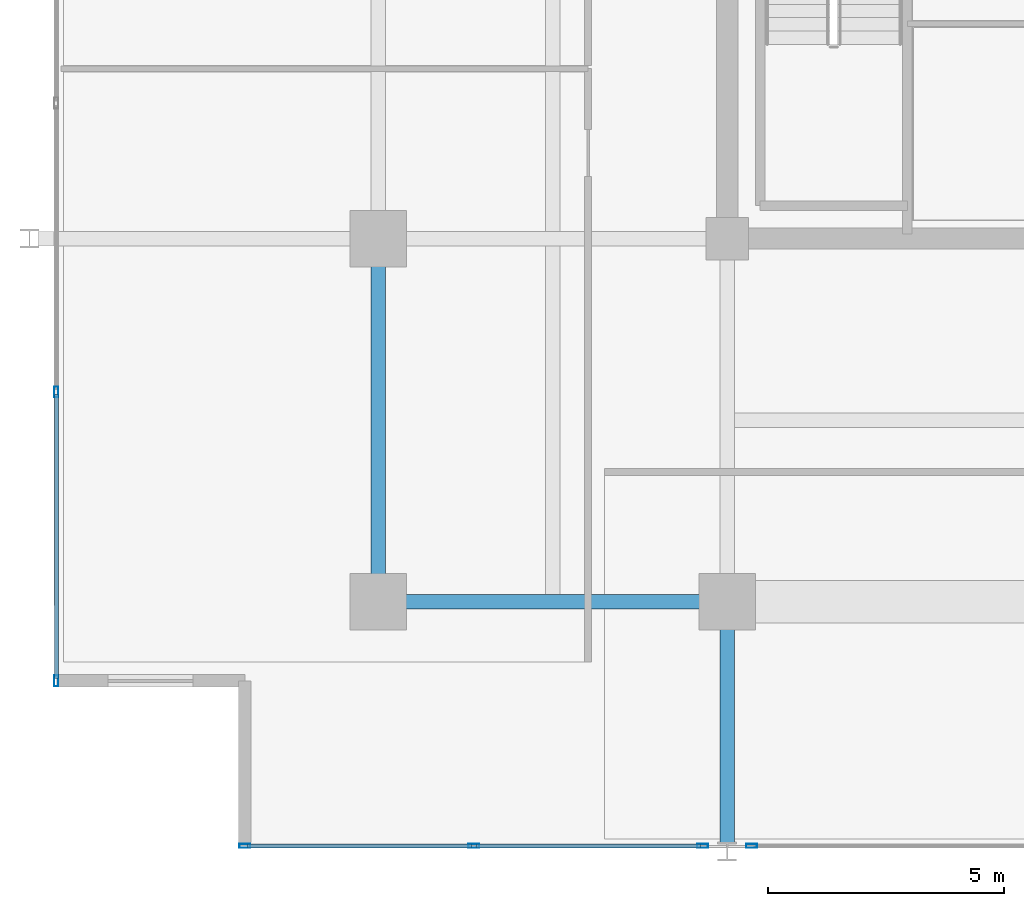
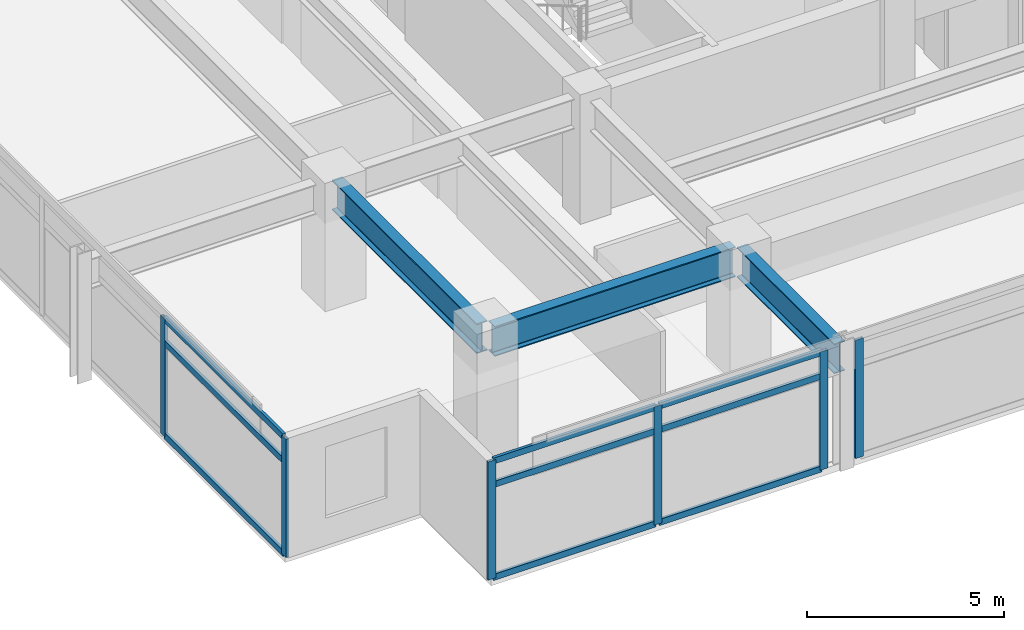
# One storey, part 2 of 20: 15 members, 3 beams, 3 elements without a shape of their own.
"""IFC4 building model written with IfcOpenShell, lengths in metres."""

from ifc_helpers import new_model, si_unit, direction, frame, origin, origin_2d, place, context, subcontext, project, spatial, hollow_rectangle, i_section, extrude, material, material_profile, profile_set, type_object, element, aggregate, save


model = new_model("IFC4")

# Units and contexts
model_context = context("Model", 3, precision=1e-05, world=origin(), true_north=direction((0.0, 1.0)))
body_context = subcontext(model_context, "Body", "Model", "MODEL_VIEW")
ifc_project = project(units=[si_unit("LENGTHUNIT", "METRE"), si_unit("AREAUNIT", "SQUARE_METRE"), si_unit("VOLUMEUNIT", "CUBIC_METRE"), si_unit("PLANEANGLEUNIT", "RADIAN"), si_unit("MASSUNIT", "GRAM", prefix="KILO")], contexts=[model_context])

# Site, building, storey
site_placement = place(None, origin())
site = spatial("IfcSite", under=ifc_project, at=site_placement, CompositionType="ELEMENT")
building_placement = place(site_placement, origin())
building = spatial("IfcBuilding", under=site, at=building_placement, Name="Kovane Verandah Tower", CompositionType="ELEMENT")
storey_placement = place(building_placement, frame((0.0, 0.0, 291.199951171875)))
storey = spatial("IfcBuildingStorey", under=building, at=storey_placement, Name="L68", CompositionType="ELEMENT", Elevation=291.199951171875)

# Beams
ifc_material_1 = material(Name="Steel S460", Category="steel")
ifc_material_profile_1 = material_profile(ifc_material_1, i_section(OverallWidth=0.3076171875, OverallDepth=0.926513671875, WebThickness=0.01953125, FlangeThickness=0.031982421875, FilletRadius=0.01904296875, at=origin_2d()), Name="UB914x305x289")
ifc_profile_set_1 = profile_set([ifc_material_profile_1], Name="Steel S460")
beam_type = type_object("IfcBeamType", Name="BM-UB914x289", PredefinedType="BEAM", material=ifc_profile_set_1)
beam_1_placement = place(storey_placement, frame((21.780029296875, 10.800048828125, 3.23681640625), z_axis=(1.0, 0.0, 0.0), x_axis=(0.0, 1.0, 0.0)))
element("IfcBeam", 1, at=beam_1_placement, inside=storey, type_object=beam_type, Name="L68 Primary Tower Girder G-RS1", PredefinedType="BEAM", context=body_context, shape_type="SweptSolid", body=[
    extrude(i_section(OverallWidth=0.3076171875, OverallDepth=0.926513671875, WebThickness=0.01953125, FlangeThickness=0.031982421875, FilletRadius=0.01904296875, at=origin_2d()), origin(), (0.0, 0.0, 1.0), 7.0400390625),
])
beam_2_placement = place(storey_placement, frame((21.60009765625, 10.97998046875, 3.23681640625), z_axis=(0.0, 1.0, 0.0), x_axis=(-1.0, 0.0, 0.0)))
element("IfcBeam", 2, at=beam_2_placement, inside=storey, type_object=beam_type, Name="L68 Primary Tower Girder G-RW1", PredefinedType="BEAM", context=body_context, shape_type="SweptSolid", body=[
    extrude(i_section(OverallWidth=0.3076171875, OverallDepth=0.926513671875, WebThickness=0.01953125, FlangeThickness=0.031982421875, FilletRadius=0.01904296875, at=origin_2d()), origin(), (0.0, 0.0, 1.0), 7.340087890625),
])
beam_3_placement = place(storey_placement, frame((29.0, 10.6201171875, 3.23681640625), z_axis=(0.0, -1.0, 0.0), x_axis=(1.0, 0.0, 0.0)))
element("IfcBeam", 3, at=beam_3_placement, inside=storey, type_object=beam_type, Name="L68 Primary Tower Girder G-VS1", PredefinedType="BEAM", context=body_context, shape_type="SweptSolid", body=[
    extrude(i_section(OverallWidth=0.3076171875, OverallDepth=0.926513671875, WebThickness=0.01953125, FlangeThickness=0.031982421875, FilletRadius=0.01904296875, at=origin_2d()), origin(), (0.0, 0.0, 1.0), 4.940185546875),
])

# Curtain wall, members
ifc_material_2 = material(Name="Champagne Anodised Aluminium Frame with Low-E Clear Laminated Glass", Category="aluminium")
curtain_wall_type = type_object("IfcCurtainWallType", Name="CW-SYS-05-HIGH", PredefinedType="NOTDEFINED", material=ifc_material_2)
curtain_wall_1_placement = place(storey_placement, origin())
curtain_wall_1 = element("IfcCurtainWall", 4, at=curtain_wall_1_placement, inside=storey, type_object=curtain_wall_type, Name="L68 S Unitised Curtain Wall-1", PredefinedType="NOTDEFINED")
ifc_material_3 = material(Name="Champagne Anodised Aluminium 6063-T6", Category="aluminium")
ifc_material_profile_2 = material_profile(ifc_material_3, hollow_rectangle(XDim=0.0849609375, YDim=0.22998046875, WallThickness=0.00390625, at=origin_2d()), Name="AL85x230x4")
ifc_profile_set_2 = profile_set([ifc_material_profile_2], Name="Champagne Anodised Aluminium 6063-T6")
member_type_1 = type_object("IfcMemberType", Name="CW-MUL-85x230", PredefinedType="MULLION", material=ifc_profile_set_2)
member_1_placement = place(storey_placement, frame((18.768310546875, 5.619384765625, 0.02001953125), z_axis=(0.0, 0.0, 1.0), x_axis=(0.0, -1.0, 0.0)))
member_1 = element("IfcMember", 5, at=member_1_placement, type_object=member_type_1, Name="L68 S Unitised Curtain Wall-1 Mullion 1", PredefinedType="MULLION", context=body_context, shape_type="SweptSolid", body=[
    extrude(hollow_rectangle(XDim=0.0849609375, YDim=0.22998046875, WallThickness=0.00390625, at=origin_2d()), origin(), (0.0, 0.0, 1.0), 3.659912109375),
])
member_2_placement = place(storey_placement, frame((23.624267578125, 5.619384765625, 0.02001953125), z_axis=(0.0, 0.0, 1.0), x_axis=(0.0, -1.0, 0.0)))
member_2 = element("IfcMember", 6, at=member_2_placement, type_object=member_type_1, Name="L68 S Unitised Curtain Wall-1 Mullion 2", PredefinedType="MULLION", context=body_context, shape_type="SweptSolid", body=[
    extrude(hollow_rectangle(XDim=0.0849609375, YDim=0.22998046875, WallThickness=0.00390625, at=origin_2d()), origin(), (0.0, 0.0, 1.0), 3.659912109375),
])
member_3_placement = place(storey_placement, frame((28.47998046875, 5.619384765625, 0.02001953125), z_axis=(0.0, 0.0, 1.0), x_axis=(0.0, -1.0, 0.0)))
member_3 = element("IfcMember", 7, at=member_3_placement, type_object=member_type_1, Name="L68 S Unitised Curtain Wall-1 Mullion 3", PredefinedType="MULLION", context=body_context, shape_type="SweptSolid", body=[
    extrude(hollow_rectangle(XDim=0.0849609375, YDim=0.22998046875, WallThickness=0.00390625, at=origin_2d()), origin(), (0.0, 0.0, 1.0), 3.659912109375),
])

# Curtain wall, member
curtain_wall_2_placement = place(storey_placement, origin())
curtain_wall_2 = element("IfcCurtainWall", 8, at=curtain_wall_2_placement, inside=storey, type_object=curtain_wall_type, Name="L68 S Unitised Curtain Wall-2", PredefinedType="NOTDEFINED")
member_4_placement = place(storey_placement, frame((29.52001953125, 5.619384765625, 0.02001953125), z_axis=(0.0, 0.0, 1.0), x_axis=(0.0, -1.0, 0.0)))
member_4 = element("IfcMember", 9, at=member_4_placement, type_object=member_type_1, Name="L68 S Unitised Curtain Wall-2 Mullion 1", PredefinedType="MULLION", context=body_context, shape_type="SweptSolid", body=[
    extrude(hollow_rectangle(XDim=0.0849609375, YDim=0.22998046875, WallThickness=0.00390625, at=origin_2d()), origin(), (0.0, 0.0, 1.0), 3.659912109375),
])
aggregate(curtain_wall_2, [member_4])

# Curtain wall, members
curtain_wall_3_placement = place(storey_placement, origin())
curtain_wall_3 = element("IfcCurtainWall", 10, at=curtain_wall_3_placement, inside=storey, type_object=curtain_wall_type, Name="L68 W Unitised Curtain Wall", PredefinedType="NOTDEFINED")
member_5_placement = place(storey_placement, frame((14.768310546875, 15.246337890625, 0.02001953125), z_axis=(0.0, 0.0, 1.0), x_axis=(-1.0, 0.0, 0.0)))
member_5 = element("IfcMember", 11, at=member_5_placement, type_object=member_type_1, Name="L68 W Unitised Curtain Wall Mullion 6", PredefinedType="MULLION", context=body_context, shape_type="SweptSolid", body=[
    extrude(hollow_rectangle(XDim=0.0849609375, YDim=0.22998046875, WallThickness=0.00390625, at=origin_2d()), origin(), (0.0, 0.0, 1.0), 3.659912109375),
])
member_6_placement = place(storey_placement, frame((14.768310546875, 9.119384765625, 0.02001953125), z_axis=(0.0, 0.0, 1.0), x_axis=(-1.0, 0.0, 0.0)))
member_6 = element("IfcMember", 12, at=member_6_placement, type_object=member_type_1, Name="L68 W Unitised Curtain Wall Mullion 7", PredefinedType="MULLION", context=body_context, shape_type="SweptSolid", body=[
    extrude(hollow_rectangle(XDim=0.0849609375, YDim=0.22998046875, WallThickness=0.00390625, at=origin_2d()), origin(), (0.0, 0.0, 1.0), 3.659912109375),
])

# Member
ifc_material_profile_3 = material_profile(ifc_material_3, hollow_rectangle(XDim=0.0849609375, YDim=0.18994140625, WallThickness=0.00390625, at=origin_2d()), Name="AL85x190x4")
ifc_profile_set_3 = profile_set([ifc_material_profile_3], Name="Champagne Anodised Aluminium 6063-T6")
member_type_2 = type_object("IfcMemberType", Name="CW-TRN-85x190", PredefinedType="USERDEFINED", material=ifc_profile_set_3)
member_7_placement = place(storey_placement, frame((18.818359375, 5.619384765625, 0.050048828125), z_axis=(1.0, 0.0, 0.0), x_axis=(0.0, 1.0, 0.0)))
member_7 = element("IfcMember", 13, at=member_7_placement, type_object=member_type_2, Name="L68 S Unitised Curtain Wall-1 Transom TB Bay 1", ObjectType="TRANSOM", PredefinedType="USERDEFINED", context=body_context, shape_type="SweptSolid", body=[
    extrude(hollow_rectangle(XDim=0.0849609375, YDim=0.18994140625, WallThickness=0.00390625, at=origin_2d()), origin(), (0.0, 0.0, 1.0), 4.755859375),
])

member_8_placement = place(storey_placement, frame((18.818359375, 5.619384765625, 2.920166015625), z_axis=(1.0, 0.0, 0.0), x_axis=(0.0, 1.0, 0.0)))
member_8 = element("IfcMember", 14, at=member_8_placement, type_object=member_type_2, Name="L68 S Unitised Curtain Wall-1 Transom TM Bay 1", ObjectType="TRANSOM", PredefinedType="USERDEFINED", context=body_context, shape_type="SweptSolid", body=[
    extrude(hollow_rectangle(XDim=0.0849609375, YDim=0.18994140625, WallThickness=0.00390625, at=origin_2d()), origin(), (0.0, 0.0, 1.0), 4.755859375),
])

member_9_placement = place(storey_placement, frame((18.818359375, 5.619384765625, 3.650146484375), z_axis=(1.0, 0.0, 0.0), x_axis=(0.0, 1.0, 0.0)))
member_9 = element("IfcMember", 15, at=member_9_placement, type_object=member_type_2, Name="L68 S Unitised Curtain Wall-1 Transom TT Bay 1", ObjectType="TRANSOM", PredefinedType="USERDEFINED", context=body_context, shape_type="SweptSolid", body=[
    extrude(hollow_rectangle(XDim=0.0849609375, YDim=0.18994140625, WallThickness=0.00390625, at=origin_2d()), origin(), (0.0, 0.0, 1.0), 4.755859375),
])

member_10_placement = place(storey_placement, frame((23.67431640625, 5.619384765625, 0.050048828125), z_axis=(1.0, 0.0, 0.0), x_axis=(0.0, 1.0, 0.0)))
member_10 = element("IfcMember", 16, at=member_10_placement, type_object=member_type_2, Name="L68 S Unitised Curtain Wall-1 Transom TB Bay 2", ObjectType="TRANSOM", PredefinedType="USERDEFINED", context=body_context, shape_type="SweptSolid", body=[
    extrude(hollow_rectangle(XDim=0.0849609375, YDim=0.18994140625, WallThickness=0.00390625, at=origin_2d()), origin(), (0.0, 0.0, 1.0), 4.755615234375),
])

member_11_placement = place(storey_placement, frame((23.67431640625, 5.619384765625, 2.920166015625), z_axis=(1.0, 0.0, 0.0), x_axis=(0.0, 1.0, 0.0)))
member_11 = element("IfcMember", 17, at=member_11_placement, type_object=member_type_2, Name="L68 S Unitised Curtain Wall-1 Transom TM Bay 2", ObjectType="TRANSOM", PredefinedType="USERDEFINED", context=body_context, shape_type="SweptSolid", body=[
    extrude(hollow_rectangle(XDim=0.0849609375, YDim=0.18994140625, WallThickness=0.00390625, at=origin_2d()), origin(), (0.0, 0.0, 1.0), 4.755615234375),
])

member_12_placement = place(storey_placement, frame((23.67431640625, 5.619384765625, 3.650146484375), z_axis=(1.0, 0.0, 0.0), x_axis=(0.0, 1.0, 0.0)))
member_12 = element("IfcMember", 18, at=member_12_placement, type_object=member_type_2, Name="L68 S Unitised Curtain Wall-1 Transom TT Bay 2", ObjectType="TRANSOM", PredefinedType="USERDEFINED", context=body_context, shape_type="SweptSolid", body=[
    extrude(hollow_rectangle(XDim=0.0849609375, YDim=0.18994140625, WallThickness=0.00390625, at=origin_2d()), origin(), (0.0, 0.0, 1.0), 4.755615234375),
])

aggregate(curtain_wall_1, [member_1, member_2, member_3, member_7, member_8, member_9, member_10, member_11, member_12])

member_13_placement = place(storey_placement, frame((14.768310546875, 15.1962890625, 0.050048828125), z_axis=(0.0, -1.0, 0.0), x_axis=(1.0, 0.0, 0.0)))
member_13 = element("IfcMember", 19, at=member_13_placement, type_object=member_type_2, Name="L68 W Unitised Curtain Wall Transom TB Bay 6", ObjectType="TRANSOM", PredefinedType="USERDEFINED", context=body_context, shape_type="SweptSolid", body=[
    extrude(hollow_rectangle(XDim=0.0849609375, YDim=0.18994140625, WallThickness=0.00390625, at=origin_2d()), origin(), (0.0, 0.0, 1.0), 6.02685546875),
])

member_14_placement = place(storey_placement, frame((14.768310546875, 15.1962890625, 2.920166015625), z_axis=(0.0, -1.0, 0.0), x_axis=(1.0, 0.0, 0.0)))
member_14 = element("IfcMember", 20, at=member_14_placement, type_object=member_type_2, Name="L68 W Unitised Curtain Wall Transom TM Bay 6", ObjectType="TRANSOM", PredefinedType="USERDEFINED", context=body_context, shape_type="SweptSolid", body=[
    extrude(hollow_rectangle(XDim=0.0849609375, YDim=0.18994140625, WallThickness=0.00390625, at=origin_2d()), origin(), (0.0, 0.0, 1.0), 6.02685546875),
])

member_15_placement = place(storey_placement, frame((14.768310546875, 15.1962890625, 3.650146484375), z_axis=(0.0, -1.0, 0.0), x_axis=(1.0, 0.0, 0.0)))
member_15 = element("IfcMember", 21, at=member_15_placement, type_object=member_type_2, Name="L68 W Unitised Curtain Wall Transom TT Bay 6", ObjectType="TRANSOM", PredefinedType="USERDEFINED", context=body_context, shape_type="SweptSolid", body=[
    extrude(hollow_rectangle(XDim=0.0849609375, YDim=0.18994140625, WallThickness=0.00390625, at=origin_2d()), origin(), (0.0, 0.0, 1.0), 6.02685546875),
])

aggregate(curtain_wall_3, [member_5, member_6, member_13, member_14, member_15])

save(model, "model.ifc")
